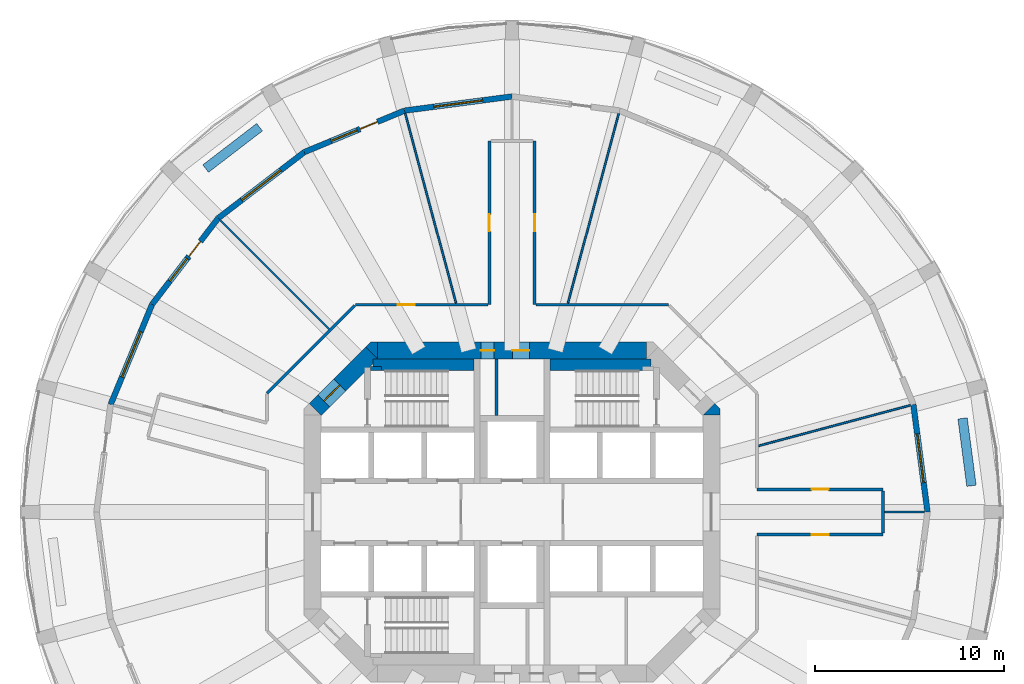
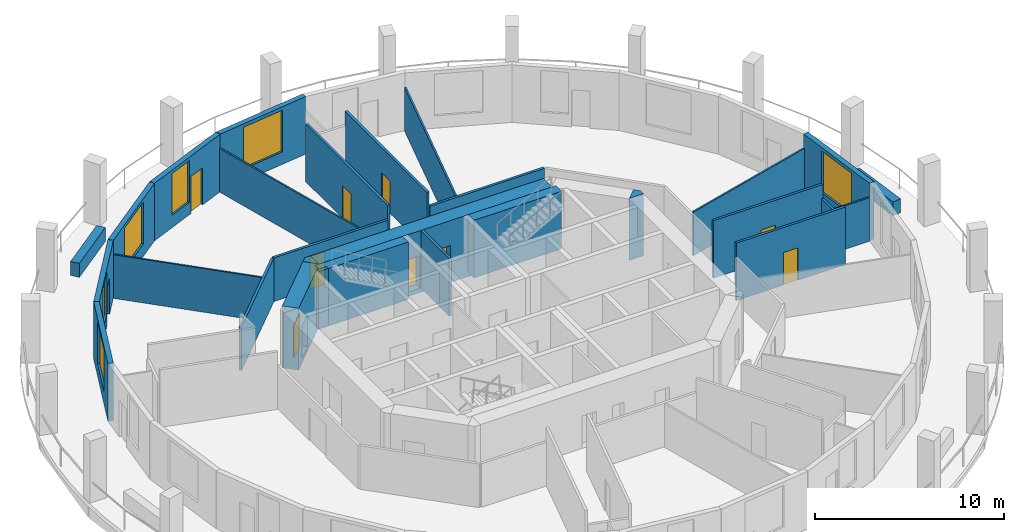
# One storey, part 5 of 8: 29 walls, 10 doors, 6 windows, 16 openings.
"""IFC4 building model written with IfcOpenShell, lengths in metres."""

from ifc_helpers import new_model, si_unit, direction, frame, frame_2d, origin, place, context, subcontext, project, spatial, polyline, rectangle, outline, extrude, material, layer, layer_set, type_object, element, fill, save


model = new_model("IFC4")

# Units and contexts
model_context = context("Model", 3, precision=1e-05, world=origin(), true_north=direction((0.0, 1.0)))
body_context = subcontext(model_context, "Body", "Model", "MODEL_VIEW")
ifc_project = project(units=[si_unit("LENGTHUNIT", "METRE"), si_unit("AREAUNIT", "SQUARE_METRE"), si_unit("VOLUMEUNIT", "CUBIC_METRE"), si_unit("PLANEANGLEUNIT", "RADIAN"), si_unit("MASSUNIT", "GRAM", prefix="KILO")], contexts=[model_context])

# Site, building, storey
site_placement = place(None, origin())
site = spatial("IfcSite", under=ifc_project, at=site_placement, CompositionType="ELEMENT")
building_placement = place(site_placement, origin())
building = spatial("IfcBuilding", under=site, at=building_placement, Name="Torre Triforio", CompositionType="ELEMENT")
storey_placement = place(building_placement, frame((0.0, 0.0, 94.60009765625)))
storey = spatial("IfcBuildingStorey", under=building, at=storey_placement, Name="L20", CompositionType="ELEMENT", Elevation=94.60009765625)

# Wall, openings, doors
ifc_material_1 = material(Name="Concrete C60", Category="concrete")
ifc_layer_1 = layer(ifc_material_1, 0.89990234375)
ifc_layer_set_1 = layer_set([ifc_layer_1], Name="Concrete C60")
wall_type_1 = type_object("IfcWallType", Name="Core wall 900 mm C60 EI 120", PredefinedType="SHEAR", material=ifc_layer_set_1)
wall_1_placement = place(storey_placement, frame((-7.1298828125, 8.550048828125, -0.280029296875), z_axis=(0.0, 0.0, 1.0), x_axis=(1.0, 0.0, 0.0)))
wall_1 = element("IfcWall", 1, at=wall_1_placement, inside=storey, type_object=wall_type_1, Name="Core wall", PredefinedType="SHEAR", context=body_context, shape_type="SweptSolid", body=[
    extrude(rectangle(XDim=14.259765625, YDim=0.89990234375, at=frame_2d((7.1298828125, 0.0))), origin(), (0.0, 0.0, 1.0), 4.0),
])
opening_1_placement = place(wall_1_placement, frame((5.47998046875, 0.0, 0.280029296875)))
opening_1 = element("IfcOpeningElement", 2, at=opening_1_placement, cuts=wall_1, Name="Opening RISER-N", PredefinedType="OPENING", context=body_context, shape_type="SweptSolid", body=[
    extrude(rectangle(XDim=0.699951171875, YDim=2.10009765625, at=frame_2d((0.35009765625, 1.050048828125))), frame((0.0, 0.4599609375, 0.0), z_axis=(0.0, -1.0, 0.0), x_axis=(1.0, 0.0, 0.0)), (0.0, 0.0, 1.0), 0.919921875),
])
opening_2_placement = place(wall_1_placement, frame((7.155029296875, 0.0, 0.280029296875)))
opening_2 = element("IfcOpeningElement", 3, at=opening_2_placement, cuts=wall_1, Name="Opening NE-01", PredefinedType="OPENING", context=body_context, shape_type="SweptSolid", body=[
    extrude(rectangle(XDim=0.89990234375, YDim=2.10009765625, at=frame_2d((0.449951171875, 1.050048828125))), frame((0.0, 0.4599609375, 0.0), z_axis=(0.0, -1.0, 0.0), x_axis=(1.0, 0.0, 0.0)), (0.0, 0.0, 1.0), 0.919921875),
])
ifc_material_2 = material(Name="Hollow metal fire door leaf")
door_type_1 = type_object("IfcDoorType", Name="Riser door 700 x 2100 EI 60", OperationType="NOTDEFINED", PredefinedType="DOOR", material=ifc_material_2)
door_1_placement = place(opening_1_placement, origin())
door_1 = element("IfcDoor", 4, at=door_1_placement, inside=storey, type_object=door_type_1, Name="Core door RISER-N", OperationType="SINGLE_SWING_LEFT", OverallHeight=2.10009765625, OverallWidth=0.699951171875, PredefinedType="DOOR", context=body_context, shape_type="SweptSolid", body=[
    extrude(rectangle(XDim=0.699951171875, YDim=2.10009765625, at=frame_2d((0.35009765625, 1.050048828125))), frame((0.0, 0.02490234375, 0.0), z_axis=(0.0, -1.0, 0.0), x_axis=(1.0, 0.0, 0.0)), (0.0, 0.0, 1.0), 0.050048828125),
])
fill(opening_1, door_1)
door_type_2 = type_object("IfcDoorType", Name="Room door 900 x 2100 EI 60", OperationType="NOTDEFINED", PredefinedType="DOOR", material=ifc_material_2)
door_2_placement = place(opening_2_placement, origin())
door_2 = element("IfcDoor", 5, at=door_2_placement, inside=storey, type_object=door_type_2, Name="Core door NE-01", OperationType="SINGLE_SWING_RIGHT", OverallHeight=2.10009765625, OverallWidth=0.89990234375, PredefinedType="DOOR", context=body_context, shape_type="SweptSolid", body=[
    extrude(rectangle(XDim=0.89990234375, YDim=2.10009765625, at=frame_2d((0.449951171875, 1.050048828125))), frame((0.0, 0.02490234375, 0.0), z_axis=(0.0, -1.0, 0.0), x_axis=(1.0, 0.0, 0.0)), (0.0, 0.0, 1.0), 0.050048828125),
])
fill(opening_2, door_2)

# Wall, opening, door
wall_2_placement = place(storey_placement, frame((-10.418212890625, 5.418212890625, -0.280029296875), z_axis=(0.0, 0.0, 1.0), x_axis=(0.707106781187, 0.707106781187, 0.0)))
wall_2 = element("IfcWall", 6, at=wall_2_placement, inside=storey, type_object=wall_type_1, Name="Core wall", PredefinedType="SHEAR", context=body_context, shape_type="SweptSolid", body=[
    extrude(rectangle(XDim=4.24267578125, YDim=0.89990234375, at=frame_2d((2.121337890625, 0.0))), origin(), (0.0, 0.0, 1.0), 4.0),
])
opening_3_placement = place(wall_2_placement, frame((0.64990234375, 0.0, 0.280029296875)))
opening_3 = element("IfcOpeningElement", 7, at=opening_3_placement, cuts=wall_2, Name="Opening ST1-EXIT", PredefinedType="OPENING", context=body_context, shape_type="SweptSolid", body=[
    extrude(rectangle(XDim=1.199951171875, YDim=2.10009765625, at=frame_2d((0.60009765625, 1.050048828125))), frame((0.0, 0.4599609375, 0.0), z_axis=(0.0, -1.0, 0.0), x_axis=(1.0, 0.0, 0.0)), (0.0, 0.0, 1.0), 0.919921875),
])
door_type_3 = type_object("IfcDoorType", Name="Stair lobby door 1200 x 2100 EI 60", OperationType="NOTDEFINED", PredefinedType="DOOR", material=ifc_material_2)
door_3_placement = place(opening_3_placement, origin())
door_3 = element("IfcDoor", 8, at=door_3_placement, inside=storey, type_object=door_type_3, Name="Core door ST1-EXIT", OperationType="SINGLE_SWING_RIGHT", OverallHeight=2.10009765625, OverallWidth=1.199951171875, PredefinedType="DOOR", context=body_context, shape_type="SweptSolid", body=[
    extrude(rectangle(XDim=1.199951171875, YDim=2.10009765625, at=frame_2d((0.60009765625, 1.050048828125))), frame((0.0, 0.02490234375, 0.0), z_axis=(0.0, -1.0, 0.0), x_axis=(1.0, 0.0, 0.0)), (0.0, 0.0, 1.0), 0.050048828125),
])
fill(opening_3, door_3)

# Walls
wall_3_placement = place(storey_placement, frame((0.0, 0.0, -0.280029296875)))
element("IfcWall", 9, at=wall_3_placement, inside=storey, type_object=wall_type_1, Name="Core wall", PredefinedType="SHEAR", context=body_context, shape_type="SweptSolid", body=[
    extrude(outline(polyline([(11.0, 5.472900390625), (11.0, 5.1298828125), (10.1298828125, 5.1298828125), (10.736328125, 5.736328125), (11.0, 5.472900390625)])), origin(), (0.0, 0.0, 1.0), 4.0),
])
wall_4_placement = place(storey_placement, frame((0.0, 0.0, -0.280029296875)))
element("IfcWall", 10, at=wall_4_placement, inside=storey, type_object=wall_type_1, Name="Core wall", PredefinedType="SHEAR", context=body_context, shape_type="SweptSolid", body=[
    extrude(outline(polyline([(-7.472900390625, 9.0), (-7.1298828125, 9.0), (-7.1298828125, 8.1298828125), (-7.736328125, 8.736328125), (-7.472900390625, 9.0)])), origin(), (0.0, 0.0, 1.0), 4.0),
])

# Wall, opening, door
ifc_material_3 = material(Name="Plasterboard on metal studs")
ifc_layer_2 = layer(ifc_material_3, 0.14990234375)
ifc_layer_set_2 = layer_set([ifc_layer_2], Name="Plasterboard on metal studs")
wall_type_2 = type_object("IfcWallType", Name="Corridor and tenancy wall 150 mm EI 60", PredefinedType="PARTITIONING", material=ifc_layer_set_2)
wall_5_placement = place(storey_placement, frame((19.648681640625, -1.199951171875, 0.0), z_axis=(0.0, 0.0, 1.0), x_axis=(-1.0, 0.0, 0.0)))
wall_5 = element("IfcWall", 11, at=wall_5_placement, inside=storey, type_object=wall_type_2, Name="Partition 1", PredefinedType="PARTITIONING", context=body_context, shape_type="SweptSolid", body=[
    extrude(rectangle(XDim=6.673583984375, YDim=0.14990234375, at=frame_2d((3.3369140625, 0.0))), origin(), (0.0, 0.0, 1.0), 3.719970703125),
])
opening_4_placement = place(wall_5_placement, frame((2.886962890625, 0.0, 0.0)))
opening_4 = element("IfcOpeningElement", 12, at=opening_4_placement, cuts=wall_5, Name="Opening N6-11", PredefinedType="OPENING", context=body_context, shape_type="SweptSolid", body=[
    extrude(rectangle(XDim=0.89990234375, YDim=2.10009765625, at=frame_2d((0.449951171875, 1.050048828125))), frame((0.0, 0.0849609375, 0.0), z_axis=(0.0, -1.0, 0.0), x_axis=(1.0, 0.0, 0.0)), (0.0, 0.0, 1.0), 0.169921875),
])
ifc_material_4 = material(Name="Timber", Category="wood")
door_type_4 = type_object("IfcDoorType", Name="Door 900 x 2100 single leaf EI 30", OperationType="NOTDEFINED", PredefinedType="DOOR", material=ifc_material_4)
door_4_placement = place(opening_4_placement, origin())
door_4 = element("IfcDoor", 13, at=door_4_placement, inside=storey, type_object=door_type_4, Name="Door N6-11", OperationType="SINGLE_SWING_RIGHT", OverallHeight=2.10009765625, OverallWidth=0.89990234375, PredefinedType="DOOR", context=body_context, shape_type="SweptSolid", body=[
    extrude(rectangle(XDim=0.89990234375, YDim=2.10009765625, at=frame_2d((0.449951171875, 1.050048828125))), frame((0.0, 0.02490234375, 0.0), z_axis=(0.0, -1.0, 0.0), x_axis=(1.0, 0.0, 0.0)), (0.0, 0.0, 1.0), 0.050048828125),
])
fill(opening_4, door_4)

# Wall
wall_6_placement = place(storey_placement, frame((-12.97509765625, 6.291015625, 0.0), z_axis=(0.0, 0.0, 1.0), x_axis=(0.707125355289, 0.707088206597, 0.0)))
element("IfcWall", 14, at=wall_6_placement, inside=storey, type_object=wall_type_2, Name="Partition 19", PredefinedType="PARTITIONING", context=body_context, shape_type="SweptSolid", body=[
    extrude(rectangle(XDim=6.572021484375, YDim=0.14990234375, at=frame_2d((3.2861328125, 0.0))), origin(), (0.0, 0.0, 1.0), 2.81982421875),
])

# Wall, opening, door
wall_7_placement = place(storey_placement, frame((-8.291015625, 10.97509765625, 0.0), z_axis=(0.0, 0.0, 1.0), x_axis=(1.0, 0.0, 0.0)))
wall_7 = element("IfcWall", 15, at=wall_7_placement, inside=storey, type_object=wall_type_2, Name="Partition 20", PredefinedType="PARTITIONING", context=body_context, shape_type="SweptSolid", body=[
    extrude(rectangle(XDim=7.01611328125, YDim=0.14990234375, at=frame_2d((3.508056640625, 0.0))), origin(), (0.0, 0.0, 1.0), 2.81982421875),
])
opening_5_placement = place(wall_7_placement, frame((2.25, 0.0, 0.0)))
opening_5 = element("IfcOpeningElement", 16, at=opening_5_placement, cuts=wall_7, Name="Opening N6-04", PredefinedType="OPENING", context=body_context, shape_type="SweptSolid", body=[
    extrude(rectangle(XDim=0.89990234375, YDim=2.10009765625, at=frame_2d((0.449951171875, 1.050048828125))), frame((0.0, 0.0849609375, 0.0), z_axis=(0.0, -1.0, 0.0), x_axis=(1.0, 0.0, 0.0)), (0.0, 0.0, 1.0), 0.169921875),
])
door_5_placement = place(opening_5_placement, origin())
door_5 = element("IfcDoor", 17, at=door_5_placement, inside=storey, type_object=door_type_4, Name="Door N6-04", OperationType="SINGLE_SWING_RIGHT", OverallHeight=2.10009765625, OverallWidth=0.89990234375, PredefinedType="DOOR", context=body_context, shape_type="SweptSolid", body=[
    extrude(rectangle(XDim=0.89990234375, YDim=2.10009765625, at=frame_2d((0.449951171875, 1.050048828125))), frame((0.0, 0.02490234375, 0.0), z_axis=(0.0, -1.0, 0.0), x_axis=(1.0, 0.0, 0.0)), (0.0, 0.0, 1.0), 0.050048828125),
])
fill(opening_5, door_5)

wall_8_placement = place(storey_placement, frame((-1.199951171875, 10.97509765625, 0.0), z_axis=(0.0, 0.0, 1.0), x_axis=(0.0, 1.0, 0.0)))
wall_8 = element("IfcWall", 18, at=wall_8_placement, inside=storey, type_object=wall_type_2, Name="Partition 21", PredefinedType="PARTITIONING", context=body_context, shape_type="SweptSolid", body=[
    extrude(rectangle(XDim=8.673583984375, YDim=0.14990234375, at=frame_2d((4.3369140625, 0.0))), origin(), (0.0, 0.0, 1.0), 3.719970703125),
])
opening_6_placement = place(wall_8_placement, frame((3.886962890625, 0.0, 0.0)))
opening_6 = element("IfcOpeningElement", 19, at=opening_6_placement, cuts=wall_8, Name="Opening N6-03", PredefinedType="OPENING", context=body_context, shape_type="SweptSolid", body=[
    extrude(rectangle(XDim=0.89990234375, YDim=2.10009765625, at=frame_2d((0.449951171875, 1.050048828125))), frame((0.0, 0.0849609375, 0.0), z_axis=(0.0, -1.0, 0.0), x_axis=(1.0, 0.0, 0.0)), (0.0, 0.0, 1.0), 0.169921875),
])
door_6_placement = place(opening_6_placement, origin())
door_6 = element("IfcDoor", 20, at=door_6_placement, inside=storey, type_object=door_type_4, Name="Door N6-03", OperationType="SINGLE_SWING_RIGHT", OverallHeight=2.10009765625, OverallWidth=0.89990234375, PredefinedType="DOOR", context=body_context, shape_type="SweptSolid", body=[
    extrude(rectangle(XDim=0.89990234375, YDim=2.10009765625, at=frame_2d((0.449951171875, 1.050048828125))), frame((0.0, 0.02490234375, 0.0), z_axis=(0.0, -1.0, 0.0), x_axis=(1.0, 0.0, 0.0)), (0.0, 0.0, 1.0), 0.050048828125),
])
fill(opening_6, door_6)

wall_9_placement = place(storey_placement, frame((1.199951171875, 19.648681640625, 0.0), z_axis=(0.0, 0.0, 1.0), x_axis=(0.0, -1.0, 0.0)))
wall_9 = element("IfcWall", 21, at=wall_9_placement, inside=storey, type_object=wall_type_2, Name="Partition 23", PredefinedType="PARTITIONING", context=body_context, shape_type="SweptSolid", body=[
    extrude(rectangle(XDim=8.673583984375, YDim=0.14990234375, at=frame_2d((4.3369140625, 0.0))), origin(), (0.0, 0.0, 1.0), 3.719970703125),
])
opening_7_placement = place(wall_9_placement, frame((3.886962890625, 0.0, 0.0)))
opening_7 = element("IfcOpeningElement", 22, at=opening_7_placement, cuts=wall_9, Name="Opening N6-02", PredefinedType="OPENING", context=body_context, shape_type="SweptSolid", body=[
    extrude(rectangle(XDim=0.89990234375, YDim=2.10009765625, at=frame_2d((0.449951171875, 1.050048828125))), frame((0.0, 0.0849609375, 0.0), z_axis=(0.0, -1.0, 0.0), x_axis=(1.0, 0.0, 0.0)), (0.0, 0.0, 1.0), 0.169921875),
])
door_7_placement = place(opening_7_placement, origin())
door_7 = element("IfcDoor", 23, at=door_7_placement, inside=storey, type_object=door_type_4, Name="Door N6-02", OperationType="SINGLE_SWING_RIGHT", OverallHeight=2.10009765625, OverallWidth=0.89990234375, PredefinedType="DOOR", context=body_context, shape_type="SweptSolid", body=[
    extrude(rectangle(XDim=0.89990234375, YDim=2.10009765625, at=frame_2d((0.449951171875, 1.050048828125))), frame((0.0, 0.02490234375, 0.0), z_axis=(0.0, -1.0, 0.0), x_axis=(1.0, 0.0, 0.0)), (0.0, 0.0, 1.0), 0.050048828125),
])
fill(opening_7, door_7)

# Wall
wall_10_placement = place(storey_placement, frame((1.27490234375, 10.97509765625, 0.0), z_axis=(0.0, 0.0, 1.0), x_axis=(1.0, 0.0, 0.0)))
element("IfcWall", 24, at=wall_10_placement, inside=storey, type_object=wall_type_2, Name="Partition 24", PredefinedType="PARTITIONING", context=body_context, shape_type="SweptSolid", body=[
    extrude(rectangle(XDim=7.01611328125, YDim=0.14990234375, at=frame_2d((3.508056640625, 0.0))), origin(), (0.0, 0.0, 1.0), 2.81982421875),
])

# Wall, opening, door
wall_11_placement = place(storey_placement, frame((12.97509765625, 1.199951171875, 0.0), z_axis=(0.0, 0.0, 1.0), x_axis=(1.0, 0.0, 0.0)))
wall_11 = element("IfcWall", 25, at=wall_11_placement, inside=storey, type_object=wall_type_2, Name="Partition 27", PredefinedType="PARTITIONING", context=body_context, shape_type="SweptSolid", body=[
    extrude(rectangle(XDim=6.673583984375, YDim=0.14990234375, at=frame_2d((3.3369140625, 0.0))), origin(), (0.0, 0.0, 1.0), 3.719970703125),
])
opening_8_placement = place(wall_11_placement, frame((2.886962890625, 0.0, 0.0)))
opening_8 = element("IfcOpeningElement", 26, at=opening_8_placement, cuts=wall_11, Name="Opening N6-12", PredefinedType="OPENING", context=body_context, shape_type="SweptSolid", body=[
    extrude(rectangle(XDim=0.89990234375, YDim=2.10009765625, at=frame_2d((0.449951171875, 1.050048828125))), frame((0.0, 0.0849609375, 0.0), z_axis=(0.0, -1.0, 0.0), x_axis=(1.0, 0.0, 0.0)), (0.0, 0.0, 1.0), 0.169921875),
])
door_8_placement = place(opening_8_placement, origin())
door_8 = element("IfcDoor", 27, at=door_8_placement, inside=storey, type_object=door_type_4, Name="Door N6-12", OperationType="SINGLE_SWING_RIGHT", OverallHeight=2.10009765625, OverallWidth=0.89990234375, PredefinedType="DOOR", context=body_context, shape_type="SweptSolid", body=[
    extrude(rectangle(XDim=0.89990234375, YDim=2.10009765625, at=frame_2d((0.449951171875, 1.050048828125))), frame((0.0, 0.02490234375, 0.0), z_axis=(0.0, -1.0, 0.0), x_axis=(1.0, 0.0, 0.0)), (0.0, 0.0, 1.0), 0.050048828125),
])
fill(opening_8, door_8)

# Walls
wall_12_placement = place(storey_placement, frame((19.648681640625, 1.125, 0.0), z_axis=(0.0, 0.0, 1.0), x_axis=(0.0, -1.0, 0.0)))
element("IfcWall", 28, at=wall_12_placement, inside=storey, type_object=wall_type_2, Name="Partition 28", PredefinedType="PARTITIONING", context=body_context, shape_type="SweptSolid", body=[
    extrude(rectangle(XDim=2.25, YDim=0.14990234375, at=frame_2d((1.125, 0.0))), origin(), (0.0, 0.0, 1.0), 2.81982421875),
])
ifc_layer_3 = layer(ifc_material_3, 0.10009765625)
ifc_layer_set_3 = layer_set([ifc_layer_3], Name="Plasterboard on metal studs")
wall_type_3 = type_object("IfcWallType", Name="Partition 100 mm board on metal studs", PredefinedType="PARTITIONING", material=ifc_layer_set_3)
wall_13_placement = place(storey_placement, frame((19.7236328125, 0.0, 0.0), z_axis=(0.0, 0.0, 1.0), x_axis=(1.0, 0.0, 0.0)))
element("IfcWall", 29, at=wall_13_placement, inside=storey, type_object=wall_type_3, Name="Partition 29", PredefinedType="PARTITIONING", context=body_context, shape_type="SweptSolid", body=[
    extrude(rectangle(XDim=2.113037109375, YDim=0.10009765625, at=frame_2d((1.056640625, 0.0))), origin(), (0.0, 0.0, 1.0), 2.81982421875),
])
wall_14_placement = place(storey_placement, frame((13.064208984375, 3.50048828125, 0.0), z_axis=(0.0, 0.0, 1.0), x_axis=(0.965920254223, 0.258839839442, 0.0)))
element("IfcWall", 30, at=wall_14_placement, inside=storey, type_object=wall_type_3, Name="Partition 30", PredefinedType="PARTITIONING", context=body_context, shape_type="SweptSolid", body=[
    extrude(rectangle(XDim=8.3115234375, YDim=0.10009765625, at=frame_2d((4.15576171875, 0.0))), origin(), (0.0, 0.0, 1.0), 2.81982421875),
])
for number, where, z_axis, x_axis, name in (
    (31, (2.964599609375, 11.064208984375, 0.0), (0.0, 0.0, 1.0), (0.258834819477, 0.96592159942, 0.0), "Partition 31"),
    (32, (-2.964599609375, 11.064208984375, 0.0), (0.0, 0.0, 1.0), (-0.258834819477, 0.96592159942, 0.0), "Partition 33"),
):
    element("IfcWall", number, at=place(storey_placement, frame(where, z_axis=z_axis, x_axis=x_axis)), inside=storey, type_object=wall_type_3, Name=name, PredefinedType="PARTITIONING", context=body_context, shape_type="SweptSolid", body=[
        extrude(rectangle(XDim=10.382080078125, YDim=0.10009765625, at=frame_2d((5.19091796875, 0.0))), origin(), (0.0, 0.0, 1.0), 2.81982421875),
    ])
wall_15_placement = place(storey_placement, frame((-9.68603515625, 9.68603515625, 0.0), z_axis=(0.0, 0.0, 1.0), x_axis=(-0.707106781187, 0.707106781187, 0.0)))
element("IfcWall", 33, at=wall_15_placement, inside=storey, type_object=wall_type_3, Name="Partition 34", PredefinedType="PARTITIONING", context=body_context, shape_type="SweptSolid", body=[
    extrude(rectangle(XDim=8.138671875, YDim=0.10009765625, at=frame_2d((4.0693359375, 0.0))), origin(), (0.0, 0.0, 1.0), 2.81982421875),
])
ifc_material_5 = material(Name="Block and board partition")
ifc_layer_4 = layer(ifc_material_5, 0.14990234375)
ifc_layer_set_4 = layer_set([ifc_layer_4], Name="Block and board partition")
wall_type_4 = type_object("IfcWallType", Name="Partition 150 mm EI 120", PredefinedType="PARTITIONING", material=ifc_layer_set_4)
wall_16_placement = place(storey_placement, frame((-0.824951171875, 5.10009765625, 0.0), z_axis=(0.0, 0.0, 1.0), x_axis=(0.0, 1.0, 0.0)))
element("IfcWall", 34, at=wall_16_placement, inside=storey, type_object=wall_type_4, Name="Partition", PredefinedType="PARTITIONING", context=body_context, shape_type="SweptSolid", body=[
    extrude(rectangle(XDim=3.0, YDim=0.14990234375, at=frame_2d((1.5, 0.0))), origin(), (0.0, 0.0, 1.0), 3.719970703125),
])
ifc_material_6 = material(Name="Limestone cladding", Category="masonry")
ifc_layer_5 = layer(ifc_material_6, 0.10009765625)
ifc_material_7 = material(Name="Concrete C40", Category="concrete")
ifc_layer_6 = layer(ifc_material_7, 0.39990234375)
ifc_layer_set_5 = layer_set([ifc_layer_5, ifc_layer_6], Name="Limestone cladding / Concrete C40")
wall_type_5 = type_object("IfcWallType", Name="Planter wall 500", PredefinedType="PARAPET", material=ifc_layer_set_5)
for number, where, z_axis, x_axis, name in (
    (35, (24.3271484375, 1.38720703125, 0.0), (0.0, 0.0, 1.0), (-0.130551000099, 0.991441595039, 0.0), "Planter L20 bay 01"),
    (36, (-13.364990234375, 20.374267578125, 0.0), (0.0, 0.0, 1.0), (-0.793326845617, -0.608795955984, 0.0), "Planter L20 bay 09"),
):
    element("IfcWall", number, at=place(storey_placement, frame(where, z_axis=z_axis, x_axis=x_axis)), inside=storey, type_object=wall_type_5, Name=name, PredefinedType="PARAPET", context=body_context, shape_type="SweptSolid", body=[
        extrude(rectangle(XDim=3.599853515625, YDim=0.5, at=frame_2d((1.7998046875, 0.0))), origin(), (0.0, 0.0, 1.0), 0.89990234375),
    ])
ifc_layer_7 = layer(ifc_material_1, 0.199951171875)
ifc_layer_set_6 = layer_set([ifc_layer_7], Name="Concrete C60")
wall_type_6 = type_object("IfcWallType", Name="Stair wall 200 mm C60 EI 120", PredefinedType="SHEAR", material=ifc_layer_set_6)
wall_17_placement = place(storey_placement, frame((-7.5, 7.60009765625, 0.0), z_axis=(0.0, 0.0, 1.0), x_axis=(1.0, 0.0, 0.0)))
element("IfcWall", 37, at=wall_17_placement, inside=storey, type_object=wall_type_6, Name="Stair wall", PredefinedType="SHEAR", context=body_context, shape_type="SweptSolid", body=[
    extrude(rectangle(XDim=0.60009765625, YDim=0.199951171875, at=frame_2d((0.300048828125, 0.0))), origin(), (0.0, 0.0, 1.0), 3.719970703125),
])
ifc_layer_8 = layer(ifc_material_1, 0.60009765625)
ifc_layer_set_7 = layer_set([ifc_layer_8], Name="Concrete C60")
wall_type_7 = type_object("IfcWallType", Name="Stair wall 600 mm C60 EI 120", PredefinedType="SHEAR", material=ifc_layer_set_7)
for number, where, z_axis, x_axis, name in (
    (38, (-7.3701171875, 7.800048828125, 0.0), (0.0, 0.0, 1.0), (1.0, 0.0, 0.0), "Stair wall"),
    (39, (2.0, 7.800048828125, 0.0), (0.0, 0.0, 1.0), (1.0, 0.0, 0.0), "Stair wall"),
):
    element("IfcWall", number, at=place(storey_placement, frame(where, z_axis=z_axis, x_axis=x_axis)), inside=storey, type_object=wall_type_7, Name=name, PredefinedType="SHEAR", context=body_context, shape_type="SweptSolid", body=[
        extrude(rectangle(XDim=5.3701171875, YDim=0.60009765625, at=frame_2d((2.68505859375, 0.0))), origin(), (0.0, 0.0, 1.0), 3.719970703125),
    ])

# Wall, opening, window
ifc_layer_9 = layer(ifc_material_6, 0.10009765625)
ifc_layer_10 = layer(ifc_material_7, 0.199951171875)
ifc_layer_set_8 = layer_set([ifc_layer_9, ifc_layer_10], Name="Limestone cladding / Concrete C40")
wall_type_8 = type_object("IfcWallType", Name="Stone-faced composite wall 300", PredefinedType="STANDARD", material=ifc_layer_set_8)
wall_18_placement = place(storey_placement, frame((22.0, 0.0, 0.0), z_axis=(0.0, 0.0, 1.0), x_axis=(-0.130503995834, 0.991447783331, 0.0)))
wall_18 = element("IfcWall", 40, at=wall_18_placement, inside=storey, type_object=wall_type_8, Name="External wall L20 bay 01", PredefinedType="STANDARD", context=body_context, shape_type="SweptSolid", body=[
    extrude(rectangle(XDim=5.7431640625, YDim=0.300048828125, at=frame_2d((2.87158203125, 0.0))), origin(), (0.0, 0.0, 1.0), 3.719970703125),
])
opening_9_placement = place(wall_18_placement, frame((1.571533203125, 0.0, 0.800048828125)))
opening_9 = element("IfcOpeningElement", 41, at=opening_9_placement, cuts=wall_18, Name="Opening N6-W01", PredefinedType="OPENING", context=body_context, shape_type="SweptSolid", body=[
    extrude(rectangle(XDim=2.60009765625, YDim=2.699951171875, at=frame_2d((1.300048828125, 1.35009765625))), frame((0.0, 0.159912109375, 0.0), z_axis=(0.0, -1.0, 0.0), x_axis=(1.0, 0.0, 0.0)), (0.0, 0.0, 1.0), 0.320068359375),
])
ifc_material_8 = material(Name="Aluminium frame with clear double glazing", Category="aluminium")
window_type_1 = type_object("IfcWindowType", Name="Punched window 2600 x 2700", PartitioningType="DOUBLE_PANEL_VERTICAL", PredefinedType="WINDOW", material=ifc_material_8)
window_1_placement = place(opening_9_placement, origin())
window_1 = element("IfcWindow", 42, at=window_1_placement, inside=storey, type_object=window_type_1, Name="Window EWN2 L20 bay 01", OverallHeight=2.699951171875, OverallWidth=2.60009765625, PartitioningType="SINGLE_PANEL", PredefinedType="WINDOW", context=body_context, shape_type="SweptSolid", body=[
    extrude(rectangle(XDim=2.60009765625, YDim=2.699951171875, at=frame_2d((1.300048828125, 1.35009765625))), frame((0.0, 0.030029296875, 0.0), z_axis=(0.0, -1.0, 0.0), x_axis=(1.0, 0.0, 0.0)), (0.0, 0.0, 1.0), 0.06005859375),
])
fill(opening_9, window_1)

wall_19_placement = place(storey_placement, frame((0.0, 22.0, 0.0), z_axis=(0.0, 0.0, 1.0), x_axis=(-0.991447783331, -0.130503995834, 0.0)))
wall_19 = element("IfcWall", 43, at=wall_19_placement, inside=storey, type_object=wall_type_8, Name="External wall L20 bay 07", PredefinedType="STANDARD", context=body_context, shape_type="SweptSolid", body=[
    extrude(rectangle(XDim=5.7431640625, YDim=0.300048828125, at=frame_2d((2.87158203125, 0.0))), origin(), (0.0, 0.0, 1.0), 3.719970703125),
])
opening_10_placement = place(wall_19_placement, frame((1.571533203125, 0.0, 0.800048828125)))
opening_10 = element("IfcOpeningElement", 44, at=opening_10_placement, cuts=wall_19, Name="Opening N6-W07", PredefinedType="OPENING", context=body_context, shape_type="SweptSolid", body=[
    extrude(rectangle(XDim=2.60009765625, YDim=2.699951171875, at=frame_2d((1.300048828125, 1.35009765625))), frame((0.0, 0.159912109375, 0.0), z_axis=(0.0, -1.0, 0.0), x_axis=(1.0, 0.0, 0.0)), (0.0, 0.0, 1.0), 0.320068359375),
])
window_2_placement = place(opening_10_placement, origin())
window_2 = element("IfcWindow", 45, at=window_2_placement, inside=storey, type_object=window_type_1, Name="Window EWN2 L20 bay 07", OverallHeight=2.699951171875, OverallWidth=2.60009765625, PartitioningType="SINGLE_PANEL", PredefinedType="WINDOW", context=body_context, shape_type="SweptSolid", body=[
    extrude(rectangle(XDim=2.60009765625, YDim=2.699951171875, at=frame_2d((1.300048828125, 1.35009765625))), frame((0.0, 0.030029296875, 0.0), z_axis=(0.0, -1.0, 0.0), x_axis=(1.0, 0.0, 0.0)), (0.0, 0.0, 1.0), 0.06005859375),
])
fill(opening_10, window_2)

# Wall, openings, door, window
wall_20_placement = place(storey_placement, frame((-5.694091796875, 21.25048828125, 0.0), z_axis=(0.0, 0.0, 1.0), x_axis=(-0.923866055759, -0.382715966503, 0.0)))
wall_20 = element("IfcWall", 46, at=wall_20_placement, inside=storey, type_object=wall_type_8, Name="External wall L20 bay 08", PredefinedType="STANDARD", context=body_context, shape_type="SweptSolid", body=[
    extrude(rectangle(XDim=5.7431640625, YDim=0.300048828125, at=frame_2d((2.87158203125, 0.0))), origin(), (0.0, 0.0, 1.0), 3.719970703125),
])
opening_11_placement = place(wall_20_placement, frame((1.546630859375, 0.0, 0.0)))
opening_11 = element("IfcOpeningElement", 47, at=opening_11_placement, cuts=wall_20, Name="Opening N6-D08", PredefinedType="OPENING", context=body_context, shape_type="SweptSolid", body=[
    extrude(rectangle(XDim=1.0, YDim=2.39990234375, at=frame_2d((0.5, 1.199951171875))), frame((0.0, 0.159912109375, 0.0), z_axis=(0.0, -1.0, 0.0), x_axis=(1.0, 0.0, 0.0)), (0.0, 0.0, 1.0), 0.320068359375),
])
opening_12_placement = place(wall_20_placement, frame((2.696533203125, 0.0, 0.800048828125)))
opening_12 = element("IfcOpeningElement", 48, at=opening_12_placement, cuts=wall_20, Name="Opening N6-W08A", PredefinedType="OPENING", context=body_context, shape_type="SweptSolid", body=[
    extrude(rectangle(XDim=1.5, YDim=2.699951171875, at=frame_2d((0.75, 1.35009765625))), frame((0.0, 0.159912109375, 0.0), z_axis=(0.0, -1.0, 0.0), x_axis=(1.0, 0.0, 0.0)), (0.0, 0.0, 1.0), 0.320068359375),
])
door_type_5 = type_object("IfcDoorType", Name="Loggia door 1000 x 2400", OperationType="NOTDEFINED", PredefinedType="DOOR", material=ifc_material_8)
door_9_placement = place(opening_11_placement, origin())
door_9 = element("IfcDoor", 49, at=door_9_placement, inside=storey, type_object=door_type_5, Name="Loggia door L20 bay 08", OperationType="SINGLE_SWING_LEFT", OverallHeight=2.39990234375, OverallWidth=1.0, PredefinedType="DOOR", context=body_context, shape_type="SweptSolid", body=[
    extrude(rectangle(XDim=1.0, YDim=2.39990234375, at=frame_2d((0.5, 1.199951171875))), frame((0.0, 0.02490234375, 0.0), z_axis=(0.0, -1.0, 0.0), x_axis=(1.0, 0.0, 0.0)), (0.0, 0.0, 1.0), 0.050048828125),
])
fill(opening_11, door_9)
window_type_2 = type_object("IfcWindowType", Name="Side window 1500 x 2700", PartitioningType="SINGLE_PANEL", PredefinedType="WINDOW", material=ifc_material_8)
window_3_placement = place(opening_12_placement, origin())
window_3 = element("IfcWindow", 50, at=window_3_placement, inside=storey, type_object=window_type_2, Name="Side window EWN12 L20 bay 08", OverallHeight=2.699951171875, OverallWidth=1.5, PartitioningType="SINGLE_PANEL", PredefinedType="WINDOW", context=body_context, shape_type="SweptSolid", body=[
    extrude(rectangle(XDim=1.5, YDim=2.699951171875, at=frame_2d((0.75, 1.35009765625))), frame((0.0, 0.030029296875, 0.0), z_axis=(0.0, -1.0, 0.0), x_axis=(1.0, 0.0, 0.0)), (0.0, 0.0, 1.0), 0.06005859375),
])
fill(opening_12, window_3)

# Wall, opening, window
wall_21_placement = place(storey_placement, frame((-11.0, 19.052490234375, 0.0), z_axis=(0.0, 0.0, 1.0), x_axis=(-0.793366142647, -0.608744744291, 0.0)))
wall_21 = element("IfcWall", 51, at=wall_21_placement, inside=storey, type_object=wall_type_8, Name="External wall L20 bay 09", PredefinedType="STANDARD", context=body_context, shape_type="SweptSolid", body=[
    extrude(rectangle(XDim=5.7431640625, YDim=0.300048828125, at=frame_2d((2.87158203125, 0.0))), origin(), (0.0, 0.0, 1.0), 3.719970703125),
])
opening_13_placement = place(wall_21_placement, frame((1.571533203125, 0.0, 0.800048828125)))
opening_13 = element("IfcOpeningElement", 52, at=opening_13_placement, cuts=wall_21, Name="Opening N6-W09", PredefinedType="OPENING", context=body_context, shape_type="SweptSolid", body=[
    extrude(rectangle(XDim=2.60009765625, YDim=2.699951171875, at=frame_2d((1.300048828125, 1.35009765625))), frame((0.0, 0.159912109375, 0.0), z_axis=(0.0, -1.0, 0.0), x_axis=(1.0, 0.0, 0.0)), (0.0, 0.0, 1.0), 0.320068359375),
])
window_4_placement = place(opening_13_placement, origin())
window_4 = element("IfcWindow", 53, at=window_4_placement, inside=storey, type_object=window_type_1, Name="Window EWN2 L20 bay 09", OverallHeight=2.699951171875, OverallWidth=2.60009765625, PartitioningType="SINGLE_PANEL", PredefinedType="WINDOW", context=body_context, shape_type="SweptSolid", body=[
    extrude(rectangle(XDim=2.60009765625, YDim=2.699951171875, at=frame_2d((1.300048828125, 1.35009765625))), frame((0.0, 0.030029296875, 0.0), z_axis=(0.0, -1.0, 0.0), x_axis=(1.0, 0.0, 0.0)), (0.0, 0.0, 1.0), 0.06005859375),
])
fill(opening_13, window_4)

# Wall, openings, door, window
wall_22_placement = place(storey_placement, frame((-15.556396484375, 15.556396484375, 0.0), z_axis=(0.0, 0.0, 1.0), x_axis=(-0.608744744291, -0.793366142647, 0.0)))
wall_22 = element("IfcWall", 54, at=wall_22_placement, inside=storey, type_object=wall_type_8, Name="External wall L20 bay 10", PredefinedType="STANDARD", context=body_context, shape_type="SweptSolid", body=[
    extrude(rectangle(XDim=5.7431640625, YDim=0.300048828125, at=frame_2d((2.87158203125, 0.0))), origin(), (0.0, 0.0, 1.0), 3.719970703125),
])
opening_14_placement = place(wall_22_placement, frame((1.546630859375, 0.0, 0.0)))
opening_14 = element("IfcOpeningElement", 55, at=opening_14_placement, cuts=wall_22, Name="Opening N6-D10", PredefinedType="OPENING", context=body_context, shape_type="SweptSolid", body=[
    extrude(rectangle(XDim=1.0, YDim=2.39990234375, at=frame_2d((0.5, 1.199951171875))), frame((0.0, 0.159912109375, 0.0), z_axis=(0.0, -1.0, 0.0), x_axis=(1.0, 0.0, 0.0)), (0.0, 0.0, 1.0), 0.320068359375),
])
opening_15_placement = place(wall_22_placement, frame((2.696533203125, 0.0, 0.800048828125)))
opening_15 = element("IfcOpeningElement", 56, at=opening_15_placement, cuts=wall_22, Name="Opening N6-W10A", PredefinedType="OPENING", context=body_context, shape_type="SweptSolid", body=[
    extrude(rectangle(XDim=1.5, YDim=2.699951171875, at=frame_2d((0.75, 1.35009765625))), frame((0.0, 0.159912109375, 0.0), z_axis=(0.0, -1.0, 0.0), x_axis=(1.0, 0.0, 0.0)), (0.0, 0.0, 1.0), 0.320068359375),
])
door_10_placement = place(opening_14_placement, origin())
door_10 = element("IfcDoor", 57, at=door_10_placement, inside=storey, type_object=door_type_5, Name="Loggia door L20 bay 10", OperationType="SINGLE_SWING_LEFT", OverallHeight=2.39990234375, OverallWidth=1.0, PredefinedType="DOOR", context=body_context, shape_type="SweptSolid", body=[
    extrude(rectangle(XDim=1.0, YDim=2.39990234375, at=frame_2d((0.5, 1.199951171875))), frame((0.0, 0.02490234375, 0.0), z_axis=(0.0, -1.0, 0.0), x_axis=(1.0, 0.0, 0.0)), (0.0, 0.0, 1.0), 0.050048828125),
])
fill(opening_14, door_10)
window_5_placement = place(opening_15_placement, origin())
window_5 = element("IfcWindow", 58, at=window_5_placement, inside=storey, type_object=window_type_2, Name="Side window EWN12 L20 bay 10", OverallHeight=2.699951171875, OverallWidth=1.5, PartitioningType="SINGLE_PANEL", PredefinedType="WINDOW", context=body_context, shape_type="SweptSolid", body=[
    extrude(rectangle(XDim=1.5, YDim=2.699951171875, at=frame_2d((0.75, 1.35009765625))), frame((0.0, 0.030029296875, 0.0), z_axis=(0.0, -1.0, 0.0), x_axis=(1.0, 0.0, 0.0)), (0.0, 0.0, 1.0), 0.06005859375),
])
fill(opening_15, window_5)

# Wall, opening, window
wall_23_placement = place(storey_placement, frame((-19.052490234375, 11.0, 0.0), z_axis=(0.0, 0.0, 1.0), x_axis=(-0.382715966503, -0.923866055759, 0.0)))
wall_23 = element("IfcWall", 59, at=wall_23_placement, inside=storey, type_object=wall_type_8, Name="External wall L20 bay 11", PredefinedType="STANDARD", context=body_context, shape_type="SweptSolid", body=[
    extrude(rectangle(XDim=5.7431640625, YDim=0.300048828125, at=frame_2d((2.87158203125, 0.0))), origin(), (0.0, 0.0, 1.0), 3.719970703125),
])
opening_16_placement = place(wall_23_placement, frame((1.571533203125, 0.0, 0.800048828125)))
opening_16 = element("IfcOpeningElement", 60, at=opening_16_placement, cuts=wall_23, Name="Opening N6-W11", PredefinedType="OPENING", context=body_context, shape_type="SweptSolid", body=[
    extrude(rectangle(XDim=2.60009765625, YDim=2.699951171875, at=frame_2d((1.300048828125, 1.35009765625))), frame((0.0, 0.159912109375, 0.0), z_axis=(0.0, -1.0, 0.0), x_axis=(1.0, 0.0, 0.0)), (0.0, 0.0, 1.0), 0.320068359375),
])
window_6_placement = place(opening_16_placement, origin())
window_6 = element("IfcWindow", 61, at=window_6_placement, inside=storey, type_object=window_type_1, Name="Window EWN2 L20 bay 11", OverallHeight=2.699951171875, OverallWidth=2.60009765625, PartitioningType="SINGLE_PANEL", PredefinedType="WINDOW", context=body_context, shape_type="SweptSolid", body=[
    extrude(rectangle(XDim=2.60009765625, YDim=2.699951171875, at=frame_2d((1.300048828125, 1.35009765625))), frame((0.0, 0.030029296875, 0.0), z_axis=(0.0, -1.0, 0.0), x_axis=(1.0, 0.0, 0.0)), (0.0, 0.0, 1.0), 0.06005859375),
])
fill(opening_16, window_6)

save(model, "model.ifc")
